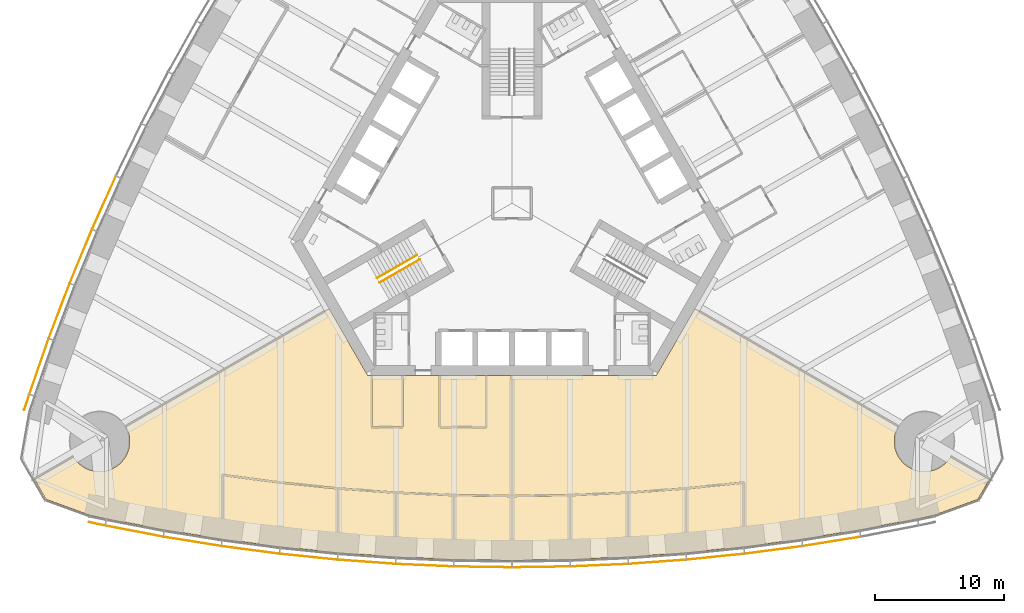
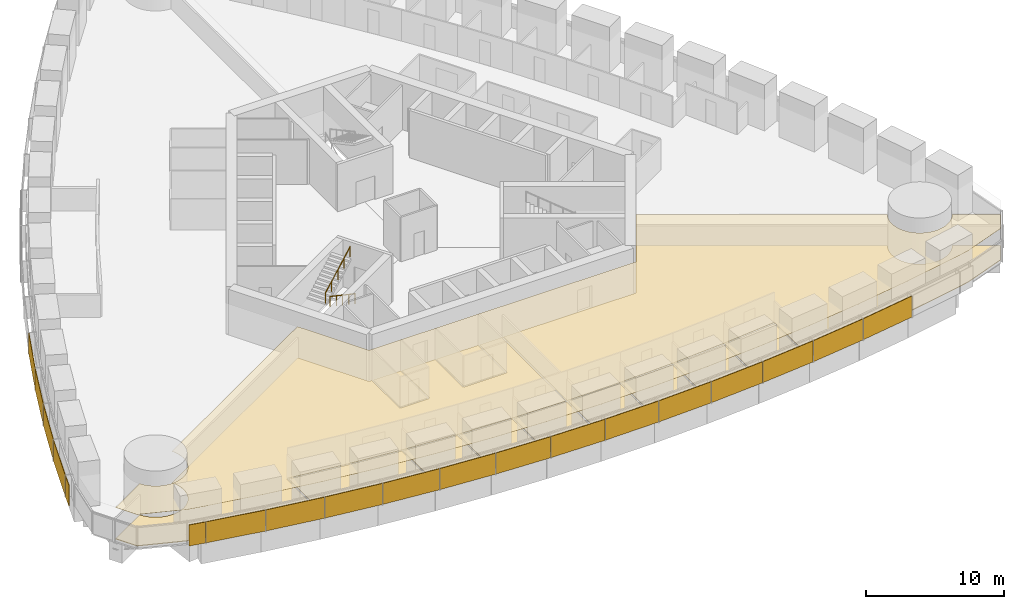
# One storey, part 14 of 18: 19 shading devices, 13 coverings, 2 railings.
"""IFC4 building model written with IfcOpenShell, lengths in metres."""

from ifc_helpers import new_model, si_unit, direction, frame, origin, origin_2d, place, context, subcontext, project, spatial, polyline, rectangle, circle, outline, extrude, material, layer, layer_set, type_object, element, save


model = new_model("IFC4")

# Units and contexts
model_context = context("Model", 3, precision=1e-05, world=origin(), true_north=direction((0.0, 1.0)))
body_context = subcontext(model_context, "Body", "Model", "MODEL_VIEW")
ifc_project = project(units=[si_unit("LENGTHUNIT", "METRE"), si_unit("AREAUNIT", "SQUARE_METRE"), si_unit("VOLUMEUNIT", "CUBIC_METRE"), si_unit("PLANEANGLEUNIT", "RADIAN"), si_unit("MASSUNIT", "GRAM", prefix="KILO")], contexts=[model_context])

# Site, building, storey
site_placement = place(None, origin())
site = spatial("IfcSite", under=ifc_project, at=site_placement, CompositionType="ELEMENT")
building_placement = place(site_placement, origin())
building = spatial("IfcBuilding", under=site, at=building_placement, Name="Trefoil Bronze Tower", CompositionType="ELEMENT")
storey_placement = place(building_placement, frame((0.0, 0.0, 87.89990234375)))
storey = spatial("IfcBuildingStorey", under=building, at=storey_placement, Name="L20", CompositionType="ELEMENT", Elevation=87.89990234375)

# Shading devices
ifc_material_1 = material(Name="Perforated bronze sheet", Category="bronze")
ifc_layer_1 = layer(ifc_material_1, 0.0400390625)
ifc_layer_set_1 = layer_set([ifc_layer_1], Name="Bronze solar screen panel")
shading_device_type = type_object("IfcShadingDeviceType", Name="Bronze solar screen panel", PredefinedType="SHUTTER", material=ifc_layer_set_1)
shading_device_1_placement = place(storey_placement, frame((-32.2431640625, -24.91064453125, 0.050048828125), z_axis=(0.0, 0.0, 1.0), x_axis=(0.978302717041, -0.207180582657, 0.0)))
element("IfcShadingDevice", 1, at=shading_device_1_placement, inside=storey, type_object=shading_device_type, Name="Solar screen CW-A L20 F1 bay 1", PredefinedType="SHUTTER", context=body_context, shape_type="SweptSolid", body=[
    extrude(rectangle(XDim=1.260498046875, YDim=0.0400390625, at=origin_2d()), origin(), (0.0, 0.0, 1.0), 1.8701171875),
])
shading_device_2_placement = place(storey_placement, frame((-29.351806640625, -25.478515625, 0.050048828125), z_axis=(0.0, 0.0, 1.0), x_axis=(0.982049823817, -0.188621694249, 0.0)))
element("IfcShadingDevice", 2, at=shading_device_2_placement, inside=storey, type_object=shading_device_type, Name="Solar screen CW-A L20 F1 bay 2", PredefinedType="SHUTTER", context=body_context, shape_type="SweptSolid", body=[
    extrude(rectangle(XDim=4.55224609375, YDim=0.0400390625, at=origin_2d()), origin(), (0.0, 0.0, 1.0), 1.8701171875),
])
shading_device_3_placement = place(storey_placement, frame((-24.836181640625, -26.277099609375, 0.050048828125), z_axis=(0.0, 0.0, 1.0), x_axis=(0.987181315145, -0.159602791421, 0.0)))
element("IfcShadingDevice", 3, at=shading_device_3_placement, inside=storey, type_object=shading_device_type, Name="Solar screen CW-A L20 F1 bay 3", PredefinedType="SHUTTER", context=body_context, shape_type="SweptSolid", body=[
    extrude(rectangle(XDim=4.5283203125, YDim=0.0400390625, at=origin_2d()), origin(), (0.0, 0.0, 1.0), 1.8701171875),
])
shading_device_4_placement = place(storey_placement, frame((-20.320556640625, -26.939697265625, 0.050048828125), z_axis=(0.0, 0.0, 1.0), x_axis=(0.991437251591, -0.130583981243, 0.0)))
element("IfcShadingDevice", 4, at=shading_device_4_placement, inside=storey, type_object=shading_device_type, Name="Solar screen CW-A L20 F1 bay 4", PredefinedType="SHUTTER", context=body_context, shape_type="SweptSolid", body=[
    extrude(rectangle(XDim=4.5087890625, YDim=0.0400390625, at=origin_2d()), origin(), (0.0, 0.0, 1.0), 1.8701171875),
])
shading_device_5_placement = place(storey_placement, frame((-15.804931640625, -27.467529296875, 0.050048828125), z_axis=(0.0, 0.0, 1.0), x_axis=(0.994828880293, -0.101565244717, 0.0)))
element("IfcShadingDevice", 5, at=shading_device_5_placement, inside=storey, type_object=shading_device_type, Name="Solar screen CW-A L20 F1 bay 5", PredefinedType="SHUTTER", context=body_context, shape_type="SweptSolid", body=[
    extrude(rectangle(XDim=4.493408203125, YDim=0.0400390625, at=origin_2d()), origin(), (0.0, 0.0, 1.0), 1.8701171875),
])
shading_device_6_placement = place(storey_placement, frame((-11.2890625, -27.8623046875, 0.050048828125), z_axis=(0.0, 0.0, 1.0), x_axis=(0.99736502647, -0.072546564177, 0.0)))
element("IfcShadingDevice", 6, at=shading_device_6_placement, inside=storey, type_object=shading_device_type, Name="Solar screen CW-A L20 F1 bay 6", PredefinedType="SHUTTER", context=body_context, shape_type="SweptSolid", body=[
    extrude(rectangle(XDim=4.48193359375, YDim=0.0400390625, at=origin_2d()), origin(), (0.0, 0.0, 1.0), 1.8701171875),
])
shading_device_7_placement = place(storey_placement, frame((-6.7734375, -28.124755859375, 0.050048828125), z_axis=(0.0, 0.0, 1.0), x_axis=(0.999052210809, -0.043527922969, 0.0)))
element("IfcShadingDevice", 7, at=shading_device_7_placement, inside=storey, type_object=shading_device_type, Name="Solar screen CW-A L20 F1 bay 7", PredefinedType="SHUTTER", context=body_context, shape_type="SweptSolid", body=[
    extrude(rectangle(XDim=4.474365234375, YDim=0.0400390625, at=origin_2d()), origin(), (0.0, 0.0, 1.0), 1.8701171875),
])
for number, where, z_axis, x_axis, name in (
    (8, (-2.2578125, -28.256103515625, 0.050048828125), (0.0, 0.0, 1.0), (0.999894734493, -0.014509305083, 0.0), "Solar screen CW-A L20 F1 bay 8"),
    (9, (2.2578125, -28.256103515625, 0.050048828125), (0.0, 0.0, 1.0), (0.999894734493, 0.014509305083, 0.0), "Solar screen CW-A L20 F1 bay 9"),
):
    element("IfcShadingDevice", number, at=place(storey_placement, frame(where, z_axis=z_axis, x_axis=x_axis)), inside=storey, type_object=shading_device_type, Name=name, PredefinedType="SHUTTER", context=body_context, shape_type="SweptSolid", body=[
        extrude(rectangle(XDim=4.470458984375, YDim=0.0400390625, at=origin_2d()), origin(), (0.0, 0.0, 1.0), 1.8701171875),
    ])
shading_device_8_placement = place(storey_placement, frame((6.7734375, -28.124755859375, 0.050048828125), z_axis=(0.0, 0.0, 1.0), x_axis=(0.999052210809, 0.043527922969, 0.0)))
element("IfcShadingDevice", 10, at=shading_device_8_placement, inside=storey, type_object=shading_device_type, Name="Solar screen CW-A L20 F1 bay 10", PredefinedType="SHUTTER", context=body_context, shape_type="SweptSolid", body=[
    extrude(rectangle(XDim=4.474365234375, YDim=0.0400390625, at=origin_2d()), origin(), (0.0, 0.0, 1.0), 1.8701171875),
])
shading_device_9_placement = place(storey_placement, frame((11.2890625, -27.8623046875, 0.050048828125), z_axis=(0.0, 0.0, 1.0), x_axis=(0.99736502647, 0.072546564177, 0.0)))
element("IfcShadingDevice", 11, at=shading_device_9_placement, inside=storey, type_object=shading_device_type, Name="Solar screen CW-A L20 F1 bay 11", PredefinedType="SHUTTER", context=body_context, shape_type="SweptSolid", body=[
    extrude(rectangle(XDim=4.48193359375, YDim=0.0400390625, at=origin_2d()), origin(), (0.0, 0.0, 1.0), 1.8701171875),
])
shading_device_10_placement = place(storey_placement, frame((15.804931640625, -27.467529296875, 0.050048828125), z_axis=(0.0, 0.0, 1.0), x_axis=(0.994828880293, 0.101565244717, 0.0)))
element("IfcShadingDevice", 12, at=shading_device_10_placement, inside=storey, type_object=shading_device_type, Name="Solar screen CW-A L20 F1 bay 12", PredefinedType="SHUTTER", context=body_context, shape_type="SweptSolid", body=[
    extrude(rectangle(XDim=4.493408203125, YDim=0.0400390625, at=origin_2d()), origin(), (0.0, 0.0, 1.0), 1.8701171875),
])
shading_device_11_placement = place(storey_placement, frame((20.320556640625, -26.939697265625, 0.050048828125), z_axis=(0.0, 0.0, 1.0), x_axis=(0.991437251591, 0.130583981243, 0.0)))
element("IfcShadingDevice", 13, at=shading_device_11_placement, inside=storey, type_object=shading_device_type, Name="Solar screen CW-A L20 F1 bay 13", PredefinedType="SHUTTER", context=body_context, shape_type="SweptSolid", body=[
    extrude(rectangle(XDim=4.5087890625, YDim=0.0400390625, at=origin_2d()), origin(), (0.0, 0.0, 1.0), 1.8701171875),
])
shading_device_12_placement = place(storey_placement, frame((24.836181640625, -26.277099609375, 0.050048828125), z_axis=(0.0, 0.0, 1.0), x_axis=(0.987181315145, 0.159602791421, 0.0)))
element("IfcShadingDevice", 14, at=shading_device_12_placement, inside=storey, type_object=shading_device_type, Name="Solar screen CW-A L20 F1 bay 14", PredefinedType="SHUTTER", context=body_context, shape_type="SweptSolid", body=[
    extrude(rectangle(XDim=4.5283203125, YDim=0.0400390625, at=origin_2d()), origin(), (0.0, 0.0, 1.0), 1.8701171875),
])
shading_device_13_placement = place(storey_placement, frame((-31.68994140625, 0.04638671875, 0.050048828125), z_axis=(0.0, 0.0, 1.0), x_axis=(-0.40945635808, -0.912329705111, 0.0)))
element("IfcShadingDevice", 15, at=shading_device_13_placement, inside=storey, type_object=shading_device_type, Name="Solar screen CW-A L20 F3 bay 12", PredefinedType="SHUTTER", context=body_context, shape_type="SweptSolid", body=[
    extrude(rectangle(XDim=4.493408203125, YDim=0.0400390625, at=origin_2d()), origin(), (0.0, 0.0, 1.0), 1.8701171875),
])
shading_device_14_placement = place(storey_placement, frame((-33.49072265625, -4.128173828125, 0.050048828125), z_axis=(0.0, 0.0, 1.0), x_axis=(-0.382629580712, -0.923901836758, 0.0)))
element("IfcShadingDevice", 16, at=shading_device_14_placement, inside=storey, type_object=shading_device_type, Name="Solar screen CW-A L20 F3 bay 13", PredefinedType="SHUTTER", context=body_context, shape_type="SweptSolid", body=[
    extrude(rectangle(XDim=4.5087890625, YDim=0.0400390625, at=origin_2d()), origin(), (0.0, 0.0, 1.0), 1.8701171875),
])
shading_device_15_placement = place(storey_placement, frame((-35.1748046875, -8.3701171875, 0.050048828125), z_axis=(0.0, 0.0, 1.0), x_axis=(-0.355370585687, -0.934725492767, 0.0)))
element("IfcShadingDevice", 17, at=shading_device_15_placement, inside=storey, type_object=shading_device_type, Name="Solar screen CW-A L20 F3 bay 14", PredefinedType="SHUTTER", context=body_context, shape_type="SweptSolid", body=[
    extrude(rectangle(XDim=4.5283203125, YDim=0.0400390625, at=origin_2d()), origin(), (0.0, 0.0, 1.0), 1.8701171875),
])
shading_device_16_placement = place(storey_placement, frame((-36.740966796875, -12.68017578125, 0.050048828125), z_axis=(0.0, 0.0, 1.0), x_axis=(-0.327673732984, -0.944790942332, 0.0)))
element("IfcShadingDevice", 18, at=shading_device_16_placement, inside=storey, type_object=shading_device_type, Name="Solar screen CW-A L20 F3 bay 15", PredefinedType="SHUTTER", context=body_context, shape_type="SweptSolid", body=[
    extrude(rectangle(XDim=4.55224609375, YDim=0.0400390625, at=origin_2d()), origin(), (0.0, 0.0, 1.0), 1.8701171875),
])
shading_device_17_placement = place(storey_placement, frame((-37.69482421875, -15.468017578125, 0.050048828125), z_axis=(0.0, 0.0, 1.0), x_axis=(-0.309727710769, -0.950825296877, 0.0)))
element("IfcShadingDevice", 19, at=shading_device_17_placement, inside=storey, type_object=shading_device_type, Name="Solar screen CW-A L20 F3 bay 16", PredefinedType="SHUTTER", context=body_context, shape_type="SweptSolid", body=[
    extrude(rectangle(XDim=1.260498046875, YDim=0.0400390625, at=origin_2d()), origin(), (0.0, 0.0, 1.0), 1.8701171875),
])

# Railings
ifc_material_2 = material(Name="Steel handrail", Category="steel")
railing_type = type_object("IfcRailingType", Name="Handrail 900", PredefinedType="HANDRAIL", material=ifc_material_2)
railing_1_placement = place(storey_placement, frame((-7.166015625, -4.3681640625, 0.16162109375)))
element("IfcRailing", 20, at=railing_1_placement, inside=storey, type_object=railing_type, Name="Handrail ST3 flight 1 L20", PredefinedType="HANDRAIL", context=body_context, shape_type="SweptSolid", body=[
    extrude(circle(Radius=0.02392578125, at=origin_2d()), frame((0.0, 0.0, 0.8759765625), z_axis=(-0.76250339821, -0.440245697338, 0.474101564745), x_axis=(0.500012057535, -0.866018442252, 0.0)), (0.0, 0.0, 1.0), 4.088623046875),
    extrude(circle(Radius=0.02099609375, at=origin_2d()), origin(), (0.0, 0.0, 1.0), 0.851806640625),
    extrude(circle(Radius=0.02099609375, at=origin_2d()), frame((-0.779296875, -0.449951171875, 0.484619140625)), (0.0, 0.0, 1.0), 0.851806640625),
    extrude(circle(Radius=0.02099609375, at=origin_2d()), frame((-1.558837890625, -0.89990234375, 0.96923828125)), (0.0, 0.0, 1.0), 0.851806640625),
    extrude(circle(Radius=0.02099609375, at=origin_2d()), frame((-2.33837890625, -1.35009765625, 1.453857421875)), (0.0, 0.0, 1.0), 0.851806640625),
    extrude(circle(Radius=0.02099609375, at=origin_2d()), frame((-3.11767578125, -1.800048828125, 1.9384765625)), (0.0, 0.0, 1.0), 0.851806640625),
])
railing_2_placement = place(storey_placement, frame((-10.483642578125, -5.82177734375, 2.26171875)))
element("IfcRailing", 21, at=railing_2_placement, inside=storey, type_object=railing_type, Name="Handrail ST3 flight 2 L20", PredefinedType="HANDRAIL", context=body_context, shape_type="SweptSolid", body=[
    extrude(circle(Radius=0.02392578125, at=origin_2d()), frame((0.0, 0.0, 0.8759765625), z_axis=(0.76250339821, 0.440245697338, 0.474101564745), x_axis=(-0.500012057535, 0.866018442252, 0.0)), (0.0, 0.0, 1.0), 4.088623046875),
    extrude(circle(Radius=0.02099609375, at=origin_2d()), origin(), (0.0, 0.0, 1.0), 0.851806640625),
    extrude(circle(Radius=0.02099609375, at=origin_2d()), frame((0.779296875, 0.449951171875, 0.484619140625)), (0.0, 0.0, 1.0), 0.851806640625),
    extrude(circle(Radius=0.02099609375, at=origin_2d()), frame((1.558837890625, 0.89990234375, 0.96923828125)), (0.0, 0.0, 1.0), 0.851806640625),
    extrude(circle(Radius=0.02099609375, at=origin_2d()), frame((2.33837890625, 1.35009765625, 1.453857421875)), (0.0, 0.0, 1.0), 0.851806640625),
    extrude(circle(Radius=0.02099609375, at=origin_2d()), frame((3.11767578125, 1.800048828125, 1.9384765625)), (0.0, 0.0, 1.0), 0.851806640625),
])

# Coverings
ifc_material_3 = material(Name="Acoustic ceiling panels", Category="mineral fibre")
ifc_layer_2 = layer(ifc_material_3, 0.02001953125)
ifc_layer_set_2 = layer_set([ifc_layer_2], Name="Office ceiling 20")
covering_type_1 = type_object("IfcCoveringType", Name="Office ceiling 20", PredefinedType="CEILING", material=ifc_layer_set_2)
covering_1_placement = place(storey_placement, frame((0.0, 0.0, 2.900146484375)))
element("IfcCovering", 22, at=covering_1_placement, inside=storey, type_object=covering_type_1, Name="Ceiling L20 Open-plan office F1", PredefinedType="CEILING", context=body_context, shape_type="SweptSolid", body=[
    extrude(outline(polyline([(-33.996826171875, -19.8056640625), (-33.930419921875, -19.89990234375), (-33.859619140625, -19.99072265625), (-33.7841796875, -20.078125), (-33.70458984375, -20.16162109375), (-33.62109375, -20.2412109375), (-33.53369140625, -20.316650390625), (-33.44287109375, -20.387451171875), (-33.348388671875, -20.4541015625), (-33.251220703125, -20.515625), (-33.150634765625, -20.572509765625), (-33.047607421875, -20.62451171875), (-32.942138671875, -20.671142578125), (-32.834716796875, -20.712646484375), (-32.72509765625, -20.748779296875), (-32.614013671875, -20.779541015625), (-32.50146484375, -20.8046875), (-32.3876953125, -20.82470703125), (-32.273193359375, -20.838623046875), (-32.158203125, -20.84716796875), (-32.04296875, -20.85009765625), (-31.927490234375, -20.84716796875), (-31.8125, -20.838623046875), (-31.697998046875, -20.82470703125), (-31.58447265625, -20.8046875), (-31.471923828125, -20.779541015625), (-31.36083984375, -20.748779296875), (-31.251220703125, -20.712646484375), (-31.1435546875, -20.671142578125), (-31.0380859375, -20.62451171875), (-30.935302734375, -20.572509765625), (-30.834716796875, -20.515625), (-30.7373046875, -20.4541015625), (-30.64306640625, -20.387451171875), (-30.552001953125, -20.316650390625), (-30.46484375, -20.2412109375), (-30.381103515625, -20.16162109375), (-30.3017578125, -20.078125), (-30.226318359375, -19.99072265625), (-30.155517578125, -19.89990234375), (-30.089111328125, -19.8056640625), (-30.02734375, -19.7080078125), (-29.970458984375, -19.60791015625), (-29.918701171875, -19.5048828125), (-29.871826171875, -19.3994140625), (-29.830322265625, -19.291748046875), (-29.794189453125, -19.18212890625), (-29.763427734375, -19.071044921875), (-29.738037109375, -18.95849609375), (-29.718505859375, -18.8447265625), (-29.704345703125, -18.730224609375), (-29.69580078125, -18.615234375), (-29.69287109375, -18.5), (-29.69580078125, -18.384765625), (-29.704345703125, -18.269775390625), (-29.718505859375, -18.1552734375), (-29.738037109375, -18.04150390625), (-29.763427734375, -17.928955078125), (-29.794189453125, -17.81787109375), (-29.830322265625, -17.708251953125), (-29.871826171875, -17.6005859375), (-29.918701171875, -17.4951171875), (-29.970458984375, -17.39208984375), (-30.001953125, -17.336669921875), (-14.19970703125, -8.205322265625), (-11.20068359375, -13.39990234375), (11.20068359375, -13.39990234375), (14.19970703125, -8.205322265625), (30.001953125, -17.336669921875), (29.970458984375, -17.39208984375), (29.918701171875, -17.4951171875), (29.871826171875, -17.6005859375), (29.830322265625, -17.708251953125), (29.794189453125, -17.81787109375), (29.763427734375, -17.928955078125), (29.738037109375, -18.04150390625), (29.718505859375, -18.1552734375), (29.704345703125, -18.269775390625), (29.69580078125, -18.384765625), (29.69287109375, -18.5), (29.69580078125, -18.615234375), (29.704345703125, -18.730224609375), (29.718505859375, -18.8447265625), (29.738037109375, -18.95849609375), (29.763427734375, -19.071044921875), (29.794189453125, -19.18212890625), (29.830322265625, -19.291748046875), (29.871826171875, -19.3994140625), (29.918701171875, -19.5048828125), (29.970458984375, -19.60791015625), (30.02734375, -19.7080078125), (30.089111328125, -19.8056640625), (30.155517578125, -19.89990234375), (30.226318359375, -19.99072265625), (30.3017578125, -20.078125), (30.381103515625, -20.16162109375), (30.46484375, -20.2412109375), (30.552001953125, -20.316650390625), (30.64306640625, -20.387451171875), (30.7373046875, -20.4541015625), (30.834716796875, -20.515625), (30.935302734375, -20.572509765625), (31.0380859375, -20.62451171875), (31.1435546875, -20.671142578125), (31.251220703125, -20.712646484375), (31.36083984375, -20.748779296875), (31.471923828125, -20.779541015625), (31.58447265625, -20.8046875), (31.697998046875, -20.82470703125), (31.8125, -20.838623046875), (31.927490234375, -20.84716796875), (32.04296875, -20.85009765625), (32.158203125, -20.84716796875), (32.273193359375, -20.838623046875), (32.3876953125, -20.82470703125), (32.50146484375, -20.8046875), (32.614013671875, -20.779541015625), (32.72509765625, -20.748779296875), (32.834716796875, -20.712646484375), (32.942138671875, -20.671142578125), (33.047607421875, -20.62451171875), (33.150634765625, -20.572509765625), (33.251220703125, -20.515625), (33.348388671875, -20.4541015625), (33.44287109375, -20.387451171875), (33.53369140625, -20.316650390625), (33.62109375, -20.2412109375), (33.70458984375, -20.16162109375), (33.7841796875, -20.078125), (33.859619140625, -19.99072265625), (33.930419921875, -19.89990234375), (33.996826171875, -19.8056640625), (34.0703125, -19.6875), (37.094482421875, -21.43505859375), (36.190673828125, -23.0009765625), (32.762451171875, -24.248779296875), (31.5, -24.51611328125), (27.0, -25.38037109375), (22.5, -26.10791015625), (18.0, -26.70068359375), (13.5, -27.159912109375), (9.0, -27.4873046875), (4.5, -27.683349609375), (0.0, -27.748779296875), (-4.5, -27.683349609375), (-9.0, -27.4873046875), (-13.5, -27.159912109375), (-18.0, -26.70068359375), (-22.5, -26.10791015625), (-27.0, -25.38037109375), (-31.5, -24.51611328125), (-32.762451171875, -24.248779296875), (-36.190673828125, -23.0009765625), (-37.094482421875, -21.43505859375), (-34.0703125, -19.6875), (-33.996826171875, -19.8056640625)])), origin(), (0.0, 0.0, 1.0), 0.02001953125),
])
ifc_material_4 = material(Name="Raised access floor panels", Category="steel")
ifc_layer_3 = layer(ifc_material_4, 0.050048828125)
ifc_layer_set_3 = layer_set([ifc_layer_3], Name="Raised access floor 150")
covering_type_2 = type_object("IfcCoveringType", Name="Raised access floor 150", PredefinedType="FLOORING", material=ifc_layer_set_3)
covering_2_placement = place(storey_placement, frame((0.0, 0.0, 0.10009765625)))
element("IfcCovering", 23, at=covering_2_placement, inside=storey, type_object=covering_type_2, Name="Raised floor L20 Meeting room F1", PredefinedType="FLOORING", context=body_context, shape_type="SweptSolid", body=[
    extrude(outline(polyline([(-2.06005859375, -13.39990234375), (-2.06005859375, -17.340087890625), (-5.5400390625, -17.340087890625), (-5.5400390625, -13.39990234375), (-2.06005859375, -13.39990234375)])), origin(), (0.0, 0.0, 1.0), 0.050048828125),
])
covering_3_placement = place(storey_placement, frame((0.0, 0.0, 0.10009765625)))
element("IfcCovering", 24, at=covering_3_placement, inside=storey, type_object=covering_type_2, Name="Raised floor L20 Comms room F1", PredefinedType="FLOORING", context=body_context, shape_type="SweptSolid", body=[
    extrude(outline(polyline([(-8.56005859375, -13.39990234375), (-8.56005859375, -17.340087890625), (-10.840087890625, -17.340087890625), (-10.840087890625, -13.39990234375), (-8.56005859375, -13.39990234375)])), origin(), (0.0, 0.0, 1.0), 0.050048828125),
])
covering_4_placement = place(storey_placement, frame((0.0, 0.0, 0.10009765625)))
element("IfcCovering", 25, at=covering_4_placement, inside=storey, type_object=covering_type_2, Name="Raised floor L20 Kitchen and breakout F1", PredefinedType="FLOORING", context=body_context, shape_type="SweptSolid", body=[
    extrude(outline(polyline([(-18.0, -26.70068359375), (-22.5, -26.10791015625), (-22.5, -24.460693359375), (-22.43994140625, -24.460693359375), (-22.43994140625, -21.17626953125), (-18.0078125, -21.760009765625), (-18.0, -21.70068359375), (-18.006103515625, -21.76025390625), (-13.56005859375, -22.214111328125), (-13.56005859375, -25.52392578125), (-13.5, -25.52392578125), (-13.5, -27.159912109375), (-18.0, -26.70068359375)])), origin(), (0.0, 0.0, 1.0), 0.050048828125),
])
covering_5_placement = place(storey_placement, frame((0.0, 0.0, 0.10009765625)))
element("IfcCovering", 26, at=covering_5_placement, inside=storey, type_object=covering_type_2, Name="Raised floor L20 Office F1", PredefinedType="FLOORING", context=body_context, shape_type="SweptSolid", body=[
    extrude(outline(polyline([(-9.0, -27.4873046875), (-13.5, -27.159912109375), (-13.5, -25.52392578125), (-13.43994140625, -25.52392578125), (-13.43994140625, -22.224609375), (-9.06005859375, -22.543212890625), (-9.06005859375, -25.8544921875), (-9.0, -25.8544921875), (-9.0, -27.4873046875)])), origin(), (0.0, 0.0, 1.0), 0.050048828125),
])
covering_6_placement = place(storey_placement, frame((0.0, 0.0, 0.10009765625)))
element("IfcCovering", 27, at=covering_6_placement, inside=storey, type_object=covering_type_2, Name="Raised floor L20 Office F1", PredefinedType="FLOORING", context=body_context, shape_type="SweptSolid", body=[
    extrude(outline(polyline([(-4.5, -27.683349609375), (-9.0, -27.4873046875), (-9.0, -25.8544921875), (-8.93994140625, -25.8544921875), (-8.93994140625, -22.550048828125), (-4.56005859375, -22.740966796875), (-4.56005859375, -26.052734375), (-4.5, -26.052734375), (-4.5, -27.683349609375)])), origin(), (0.0, 0.0, 1.0), 0.050048828125),
])
covering_7_placement = place(storey_placement, frame((0.0, 0.0, 0.10009765625)))
element("IfcCovering", 28, at=covering_7_placement, inside=storey, type_object=covering_type_2, Name="Raised floor L20 Office F1", PredefinedType="FLOORING", context=body_context, shape_type="SweptSolid", body=[
    extrude(outline(polyline([(0.0, -27.748779296875), (-4.5, -27.683349609375), (-4.5, -26.052734375), (-4.43994140625, -26.052734375), (-4.43994140625, -22.744384765625), (-0.074951171875, -22.8076171875), (-0.074951171875, -26.11865234375), (0.0, -26.11865234375), (0.0, -27.748779296875)])), origin(), (0.0, 0.0, 1.0), 0.050048828125),
])
covering_8_placement = place(storey_placement, frame((0.0, 0.0, 0.10009765625)))
element("IfcCovering", 29, at=covering_8_placement, inside=storey, type_object=covering_type_2, Name="Raised floor L20 Office F1", PredefinedType="FLOORING", context=body_context, shape_type="SweptSolid", body=[
    extrude(outline(polyline([(4.5, -27.683349609375), (0.0, -27.748779296875), (0.0, -26.11865234375), (0.074951171875, -26.11865234375), (0.074951171875, -22.8076171875), (4.43994140625, -22.744384765625), (4.43994140625, -26.052734375), (4.5, -26.052734375), (4.5, -27.683349609375)])), origin(), (0.0, 0.0, 1.0), 0.050048828125),
])
covering_9_placement = place(storey_placement, frame((0.0, 0.0, 0.10009765625)))
element("IfcCovering", 30, at=covering_9_placement, inside=storey, type_object=covering_type_2, Name="Raised floor L20 Office F1", PredefinedType="FLOORING", context=body_context, shape_type="SweptSolid", body=[
    extrude(outline(polyline([(9.0, -27.4873046875), (4.5, -27.683349609375), (4.5, -26.052734375), (4.56005859375, -26.052734375), (4.56005859375, -22.740966796875), (8.93994140625, -22.550048828125), (8.93994140625, -25.8544921875), (9.0, -25.8544921875), (9.0, -27.4873046875)])), origin(), (0.0, 0.0, 1.0), 0.050048828125),
])
covering_10_placement = place(storey_placement, frame((0.0, 0.0, 0.10009765625)))
element("IfcCovering", 31, at=covering_10_placement, inside=storey, type_object=covering_type_2, Name="Raised floor L20 Office F1", PredefinedType="FLOORING", context=body_context, shape_type="SweptSolid", body=[
    extrude(outline(polyline([(13.5, -27.159912109375), (9.0, -27.4873046875), (9.0, -25.8544921875), (9.06005859375, -25.8544921875), (9.06005859375, -22.543212890625), (13.43994140625, -22.224609375), (13.43994140625, -25.52392578125), (13.5, -25.52392578125), (13.5, -27.159912109375)])), origin(), (0.0, 0.0, 1.0), 0.050048828125),
])
covering_11_placement = place(storey_placement, frame((0.0, 0.0, 0.10009765625)))
element("IfcCovering", 32, at=covering_11_placement, inside=storey, type_object=covering_type_2, Name="Raised floor L20 Meeting room F1", PredefinedType="FLOORING", context=body_context, shape_type="SweptSolid", body=[
    extrude(outline(polyline([(18.0, -26.70068359375), (13.5, -27.159912109375), (13.5, -25.52392578125), (13.56005859375, -25.52392578125), (13.56005859375, -22.214111328125), (17.93994140625, -21.76708984375), (17.93994140625, -25.0595703125), (18.0, -25.0595703125), (18.0, -26.70068359375)])), origin(), (0.0, 0.0, 1.0), 0.050048828125),
])
covering_12_placement = place(storey_placement, frame((0.0, 0.0, 0.10009765625)))
element("IfcCovering", 33, at=covering_12_placement, inside=storey, type_object=covering_type_2, Name="Raised floor L20 Open-plan office F1", PredefinedType="FLOORING", context=body_context, shape_type="SweptSolid", body=[
    extrude(outline(polyline([(18.0, -25.0595703125), (18.06005859375, -25.0595703125), (18.06005859375, -21.70068359375), (18.0, -21.70068359375), (17.993896484375, -21.640869140625), (13.494873046875, -22.100341796875), (8.99658203125, -22.427490234375), (4.498291015625, -22.623291015625), (0.074951171875, -22.6875), (0.074951171875, -13.409912109375), (0.0009765625, -13.409912109375), (0.0009765625, -13.39990234375), (11.20068359375, -13.39990234375), (14.19970703125, -8.205322265625), (30.001953125, -17.336669921875), (29.970458984375, -17.39208984375), (29.918701171875, -17.4951171875), (29.871826171875, -17.6005859375), (29.830322265625, -17.708251953125), (29.794189453125, -17.81787109375), (29.763427734375, -17.928955078125), (29.738037109375, -18.04150390625), (29.718505859375, -18.1552734375), (29.704345703125, -18.269775390625), (29.69580078125, -18.384765625), (29.69287109375, -18.5), (29.69580078125, -18.615234375), (29.704345703125, -18.730224609375), (29.718505859375, -18.8447265625), (29.738037109375, -18.95849609375), (29.763427734375, -19.071044921875), (29.794189453125, -19.18212890625), (29.830322265625, -19.291748046875), (29.871826171875, -19.3994140625), (29.918701171875, -19.5048828125), (29.970458984375, -19.60791015625), (30.02734375, -19.7080078125), (30.089111328125, -19.8056640625), (30.155517578125, -19.89990234375), (30.226318359375, -19.99072265625), (30.3017578125, -20.078125), (30.381103515625, -20.16162109375), (30.46484375, -20.2412109375), (30.552001953125, -20.316650390625), (30.64306640625, -20.387451171875), (30.7373046875, -20.4541015625), (30.834716796875, -20.515625), (30.935302734375, -20.572509765625), (31.0380859375, -20.62451171875), (31.1435546875, -20.671142578125), (31.251220703125, -20.712646484375), (31.36083984375, -20.748779296875), (31.471923828125, -20.779541015625), (31.58447265625, -20.8046875), (31.697998046875, -20.82470703125), (31.8125, -20.838623046875), (31.927490234375, -20.84716796875), (32.04296875, -20.85009765625), (32.158203125, -20.84716796875), (32.273193359375, -20.838623046875), (32.3876953125, -20.82470703125), (32.50146484375, -20.8046875), (32.614013671875, -20.779541015625), (32.72509765625, -20.748779296875), (32.834716796875, -20.712646484375), (32.942138671875, -20.671142578125), (33.047607421875, -20.62451171875), (33.150634765625, -20.572509765625), (33.251220703125, -20.515625), (33.348388671875, -20.4541015625), (33.44287109375, -20.387451171875), (33.53369140625, -20.316650390625), (33.62109375, -20.2412109375), (33.70458984375, -20.16162109375), (33.7841796875, -20.078125), (33.859619140625, -19.99072265625), (33.930419921875, -19.89990234375), (33.996826171875, -19.8056640625), (34.0703125, -19.6875), (37.094482421875, -21.43505859375), (36.190673828125, -23.0009765625), (32.762451171875, -24.248779296875), (31.5, -24.51611328125), (27.0, -25.38037109375), (22.5, -26.10791015625), (18.0, -26.70068359375), (18.0, -25.0595703125)])), origin(), (0.0, 0.0, 1.0), 0.050048828125),
])
covering_13_placement = place(storey_placement, frame((0.0, 0.0, 0.10009765625)))
element("IfcCovering", 34, at=covering_13_placement, inside=storey, type_object=covering_type_2, Name="Raised floor L20 Open-plan office F1", PredefinedType="FLOORING", context=body_context, shape_type="SweptSolid", body=[
    extrude(outline(polyline([(-30.001953125, -17.336669921875), (-14.19970703125, -8.205322265625), (-11.20068359375, -13.39990234375), (-10.9599609375, -13.39990234375), (-10.9599609375, -17.39990234375), (-10.89990234375, -17.39990234375), (-10.89990234375, -17.4599609375), (-8.5, -17.4599609375), (-8.5, -17.39990234375), (-8.43994140625, -17.39990234375), (-8.43994140625, -13.39990234375), (-5.659912109375, -13.39990234375), (-5.659912109375, -17.39990234375), (-5.60009765625, -17.39990234375), (-5.60009765625, -17.4599609375), (-2.0, -17.4599609375), (-2.0, -17.39990234375), (-1.93994140625, -17.39990234375), (-1.93994140625, -13.39990234375), (-0.0009765625, -13.39990234375), (-0.0009765625, -13.409912109375), (-0.074951171875, -13.409912109375), (-0.074951171875, -22.6875), (-4.498291015625, -22.623291015625), (-8.99658203125, -22.427490234375), (-13.494873046875, -22.100341796875), (-17.572509765625, -21.683837890625), (-18.41357421875, -21.585693359375), (-22.4921875, -21.04833984375), (-22.5, -21.10791015625), (-22.56005859375, -21.10791015625), (-22.56005859375, -24.460693359375), (-22.5, -24.460693359375), (-22.5, -26.10791015625), (-27.0, -25.38037109375), (-31.5, -24.51611328125), (-32.762451171875, -24.248779296875), (-36.190673828125, -23.0009765625), (-37.094482421875, -21.43505859375), (-34.0703125, -19.6875), (-33.996826171875, -19.8056640625), (-33.930419921875, -19.89990234375), (-33.859619140625, -19.99072265625), (-33.7841796875, -20.078125), (-33.70458984375, -20.16162109375), (-33.62109375, -20.2412109375), (-33.53369140625, -20.316650390625), (-33.44287109375, -20.387451171875), (-33.348388671875, -20.4541015625), (-33.251220703125, -20.515625), (-33.150634765625, -20.572509765625), (-33.047607421875, -20.62451171875), (-32.942138671875, -20.671142578125), (-32.834716796875, -20.712646484375), (-32.72509765625, -20.748779296875), (-32.614013671875, -20.779541015625), (-32.50146484375, -20.8046875), (-32.3876953125, -20.82470703125), (-32.273193359375, -20.838623046875), (-32.158203125, -20.84716796875), (-32.04296875, -20.85009765625), (-31.927490234375, -20.84716796875), (-31.8125, -20.838623046875), (-31.697998046875, -20.82470703125), (-31.58447265625, -20.8046875), (-31.471923828125, -20.779541015625), (-31.36083984375, -20.748779296875), (-31.251220703125, -20.712646484375), (-31.1435546875, -20.671142578125), (-31.0380859375, -20.62451171875), (-30.935302734375, -20.572509765625), (-30.834716796875, -20.515625), (-30.7373046875, -20.4541015625), (-30.64306640625, -20.387451171875), (-30.552001953125, -20.316650390625), (-30.46484375, -20.2412109375), (-30.381103515625, -20.16162109375), (-30.3017578125, -20.078125), (-30.226318359375, -19.99072265625), (-30.155517578125, -19.89990234375), (-30.089111328125, -19.8056640625), (-30.02734375, -19.7080078125), (-29.970458984375, -19.60791015625), (-29.918701171875, -19.5048828125), (-29.871826171875, -19.3994140625), (-29.830322265625, -19.291748046875), (-29.794189453125, -19.18212890625), (-29.763427734375, -19.071044921875), (-29.738037109375, -18.95849609375), (-29.718505859375, -18.8447265625), (-29.704345703125, -18.730224609375), (-29.69580078125, -18.615234375), (-29.69287109375, -18.5), (-29.69580078125, -18.384765625), (-29.704345703125, -18.269775390625), (-29.718505859375, -18.1552734375), (-29.738037109375, -18.04150390625), (-29.763427734375, -17.928955078125), (-29.794189453125, -17.81787109375), (-29.830322265625, -17.708251953125), (-29.871826171875, -17.6005859375), (-29.918701171875, -17.4951171875), (-29.970458984375, -17.39208984375), (-30.001953125, -17.336669921875)])), origin(), (0.0, 0.0, 1.0), 0.050048828125),
])

save(model, "model.ifc")
